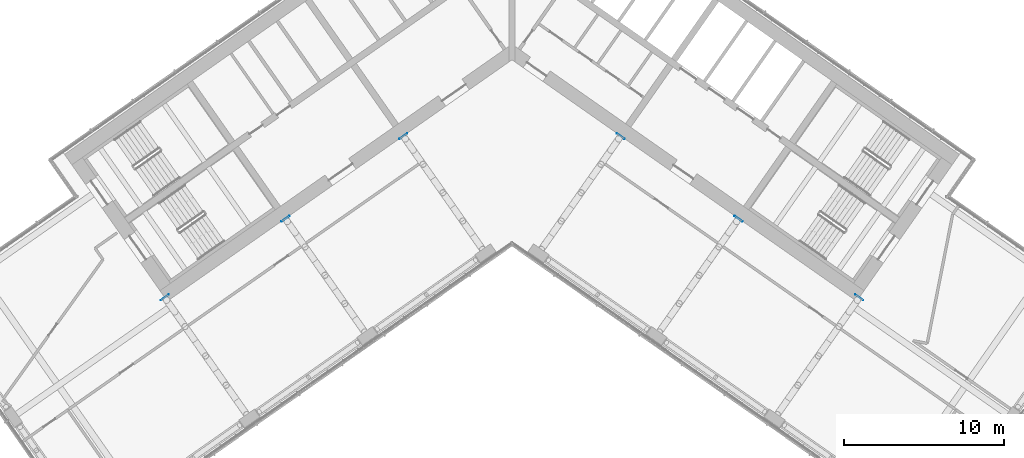
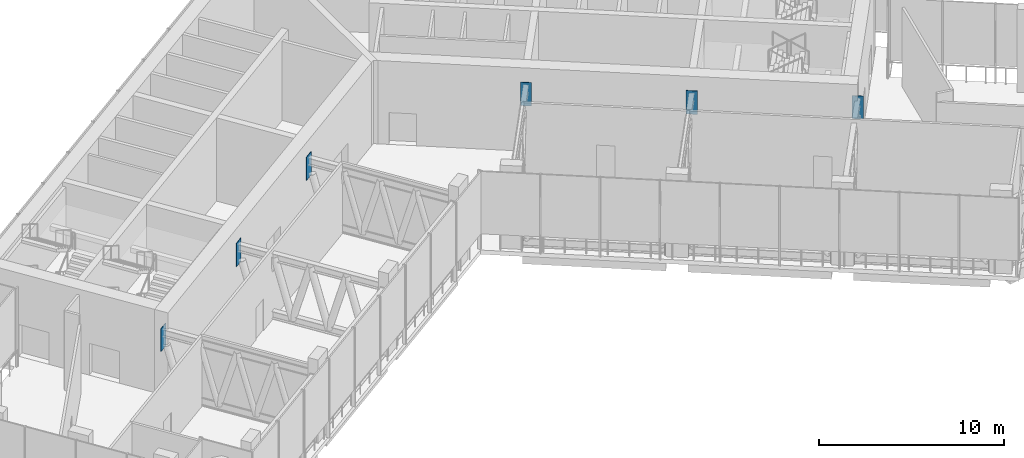
# One storey, part 8 of 19: 6 discrete accessories.
"""IFC4 building model written with IfcOpenShell, lengths in metres."""

from ifc_helpers import new_model, si_unit, direction, frame, origin, origin_2d, place, context, subcontext, project, spatial, rectangle, extrude, material, layer, layer_set, type_object, element, save


model = new_model("IFC4")

# Units and contexts
model_context = context("Model", 3, precision=1e-05, world=origin(), true_north=direction((0.0, 1.0)))
body_context = subcontext(model_context, "Body", "Model", "MODEL_VIEW")
ifc_project = project(units=[si_unit("LENGTHUNIT", "METRE"), si_unit("AREAUNIT", "SQUARE_METRE"), si_unit("VOLUMEUNIT", "CUBIC_METRE"), si_unit("PLANEANGLEUNIT", "RADIAN"), si_unit("MASSUNIT", "GRAM", prefix="KILO")], contexts=[model_context])

# Site, building, storey
site_placement = place(None, origin())
site = spatial("IfcSite", under=ifc_project, at=site_placement, CompositionType="ELEMENT")
building_placement = place(site_placement, origin())
building = spatial("IfcBuilding", under=site, at=building_placement, Name="Tel Ilan Convention Tower", CompositionType="ELEMENT")
storey_placement = place(building_placement, frame((0.0, 0.0, 213.89990234375)))
storey = spatial("IfcBuildingStorey", under=building, at=storey_placement, Name="L50", CompositionType="ELEMENT", Elevation=213.89990234375)

# Discrete accessories
ifc_material = material(Name="Steel S355", Category="steel")
ifc_layer = layer(ifc_material, 0.030029296875)
ifc_layer_set = layer_set([ifc_layer], Name="Cast-in Plate 30 mm Steel S355")
discrete_accessory_type = type_object("IfcDiscreteAccessoryType", Name="Cast-in Plate 30 mm Steel S355", PredefinedType="ANCHORPLATE", material=ifc_layer_set)
for number, where, z_axis, x_axis, name in (
    (1, (-6.790283203125, -5.99365234375, 3.020263671875), (0.0, 0.0, 1.0), (-0.573576436351, 0.819152044289, 0.0), "L50 W-F1 outrigger cast-in plate"),
    (2, (-14.16259765625, -11.15576171875, 3.020263671875), (0.0, 0.0, 1.0), (-0.573576436351, 0.819152044289, 0.0), "L50 W-F2 outrigger cast-in plate"),
):
    element("IfcDiscreteAccessory", number, at=place(storey_placement, frame(where, z_axis=z_axis, x_axis=x_axis)), inside=storey, type_object=discrete_accessory_type, Name=name, PredefinedType="ANCHORPLATE", context=body_context, shape_type="SweptSolid", body=[
        extrude(rectangle(XDim=0.030029296875, YDim=0.6064453125, at=origin_2d()), origin(), (0.0, 0.0, 1.0), 1.5498046875),
    ])
discrete_accessory_1_placement = place(storey_placement, frame((-21.70703125, -16.072265625, 3.048583984375), z_axis=(0.0, 0.0, 1.0), x_axis=(-0.573576436351, 0.819152044289, 0.0)))
element("IfcDiscreteAccessory", 3, at=discrete_accessory_1_placement, inside=storey, type_object=discrete_accessory_type, Name="L50 W-F3 outrigger cast-in plate", PredefinedType="ANCHORPLATE", context=body_context, shape_type="SweptSolid", body=[
    extrude(rectangle(XDim=0.030029296875, YDim=0.6064453125, at=origin_2d()), origin(), (0.0, 0.0, 1.0), 1.521484375),
])
for number, where, z_axis, x_axis, name in (
    (4, (6.790283203125, -5.99365234375, 3.020263671875), (0.0, 0.0, 1.0), (0.573576436351, 0.819152044289, 0.0), "L50 E-F1 outrigger cast-in plate"),
    (5, (14.16259765625, -11.15576171875, 3.020263671875), (0.0, 0.0, 1.0), (0.573576436351, 0.819152044289, 0.0), "L50 E-F2 outrigger cast-in plate"),
):
    element("IfcDiscreteAccessory", number, at=place(storey_placement, frame(where, z_axis=z_axis, x_axis=x_axis)), inside=storey, type_object=discrete_accessory_type, Name=name, PredefinedType="ANCHORPLATE", context=body_context, shape_type="SweptSolid", body=[
        extrude(rectangle(XDim=0.030029296875, YDim=0.6064453125, at=origin_2d()), origin(), (0.0, 0.0, 1.0), 1.5498046875),
    ])
discrete_accessory_2_placement = place(storey_placement, frame((21.70703125, -16.072265625, 3.048583984375), z_axis=(0.0, 0.0, 1.0), x_axis=(0.573576436351, 0.819152044289, 0.0)))
element("IfcDiscreteAccessory", 6, at=discrete_accessory_2_placement, inside=storey, type_object=discrete_accessory_type, Name="L50 E-F3 outrigger cast-in plate", PredefinedType="ANCHORPLATE", context=body_context, shape_type="SweptSolid", body=[
    extrude(rectangle(XDim=0.030029296875, YDim=0.6064453125, at=origin_2d()), origin(), (0.0, 0.0, 1.0), 1.521484375),
])

save(model, "model.ifc")
